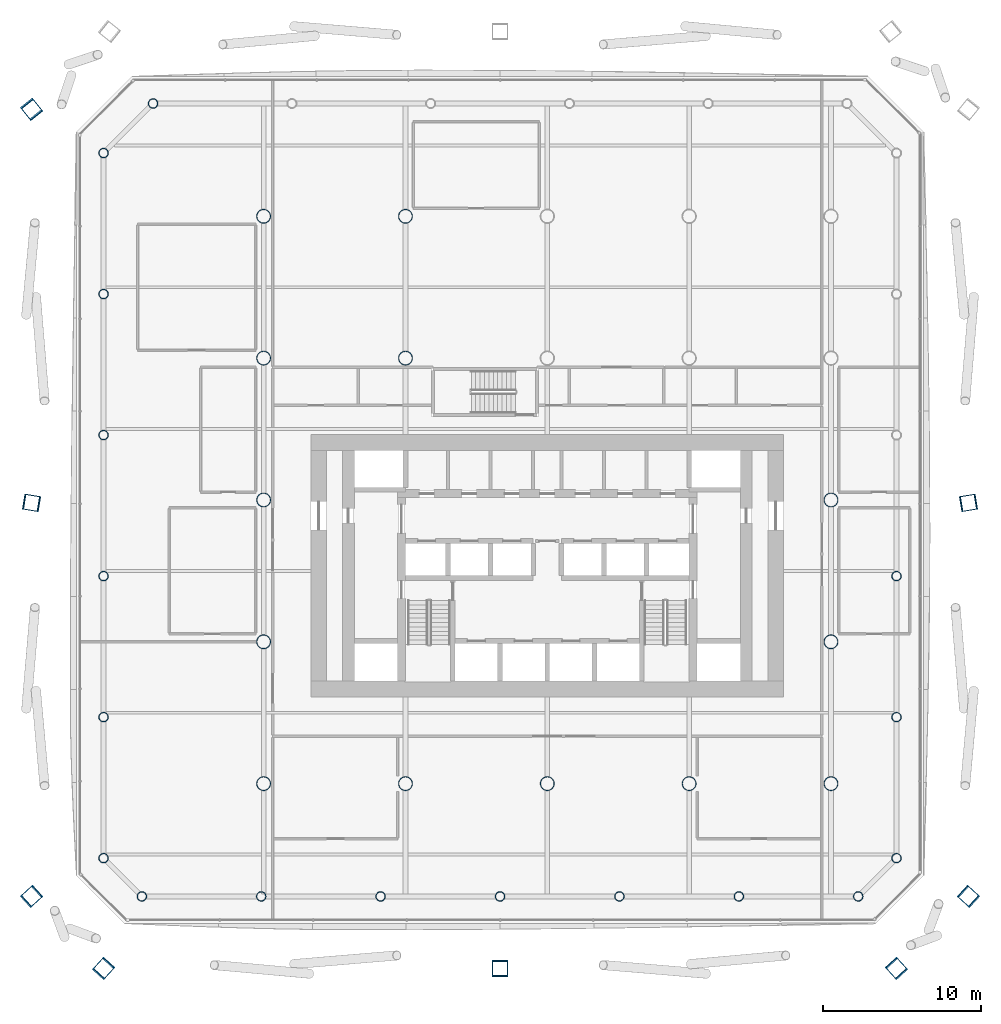
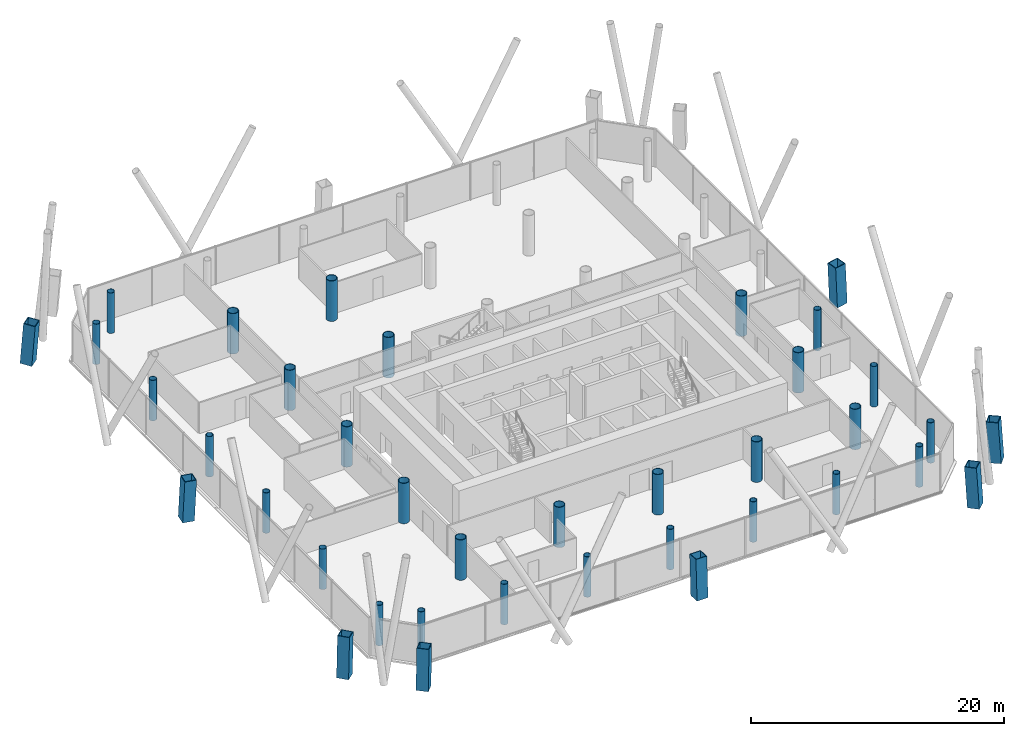
# One storey, part 1 of 25: 38 columns.
"""IFC4 building model written with IfcOpenShell, lengths in metres."""

from ifc_helpers import new_model, si_unit, direction, frame, origin, origin_2d, place, context, subcontext, project, spatial, hollow_rectangle, hollow_circle, extrude, material, material_profile, profile_set, type_object, element, save


model = new_model("IFC4")

# Units and contexts
model_context = context("Model", 3, precision=1e-05, world=origin(), true_north=direction((0.0, 1.0)))
body_context = subcontext(model_context, "Body", "Model", "MODEL_VIEW")
ifc_project = project(units=[si_unit("LENGTHUNIT", "METRE"), si_unit("AREAUNIT", "SQUARE_METRE"), si_unit("VOLUMEUNIT", "CUBIC_METRE"), si_unit("PLANEANGLEUNIT", "RADIAN"), si_unit("MASSUNIT", "GRAM", prefix="KILO")], contexts=[model_context])

# Site, building, storey
site_placement = place(None, origin())
site = spatial("IfcSite", under=ifc_project, at=site_placement, CompositionType="ELEMENT")
building_placement = place(site_placement, origin())
building = spatial("IfcBuilding", under=site, at=building_placement, Name="Tskaro Facet Tower", CompositionType="ELEMENT")
storey_placement = place(building_placement, frame((0.0, 0.0, 34.199951171875)))
storey = spatial("IfcBuildingStorey", under=building, at=storey_placement, Name="L07", CompositionType="ELEMENT", Elevation=34.199951171875)

# Columns
ifc_material_1 = material(Name="Steel S460M", Category="steel")
ifc_material_profile_1 = material_profile(ifc_material_1, hollow_rectangle(XDim=1.0, YDim=1.0, WallThickness=0.06005859375, at=origin_2d()), Name="BOX 1000x1000x60")
ifc_profile_set_1 = profile_set([ifc_material_profile_1], Name="Steel S460M")
column_type_1 = type_object("IfcColumnType", Name="BOX 1000x1000x60 mega column", PredefinedType="COLUMN", material=ifc_profile_set_1)
column_1_placement = place(storey_placement, frame((-28.179931640625, -29.75390625, 0.0), z_axis=(0.042481911701, 0.046542682672, 0.998012557971), x_axis=(-0.73859280104, 0.674151818399, 0.0)))
element("IfcColumn", 1, at=column_1_placement, inside=storey, type_object=column_type_1, Name="BOX 1000x1000x60 MC01/1", PredefinedType="COLUMN", context=body_context, shape_type="SweptSolid", body=[
    extrude(hollow_rectangle(XDim=1.0, YDim=1.0, WallThickness=0.06005859375, at=origin_2d()), origin(), (0.0, 0.0, 1.0), 3.907958984375),
])
column_2_placement = place(storey_placement, frame((-3.0, -29.75390625, 0.0), z_axis=(0.0, 0.046584737692, 0.99891434178), x_axis=(-1.0, 0.0, 0.0)))
element("IfcColumn", 2, at=column_2_placement, inside=storey, type_object=column_type_1, Name="BOX 1000x1000x60 MC02/1", PredefinedType="COLUMN", context=body_context, shape_type="SweptSolid", body=[
    extrude(hollow_rectangle(XDim=1.0, YDim=1.0, WallThickness=0.06005859375, at=origin_2d()), origin(), (0.0, 0.0, 1.0), 3.904296875),
])
for number, where, z_axis, x_axis, name in (
    (3, (22.179931640625, -29.75390625, 0.0), (-0.042481911701, 0.046542682672, 0.998012557971), (-0.73859280104, -0.674151818399, 0.0), "BOX 1000x1000x60 MC03/1"),
    (4, (26.75390625, -25.179931640625, 0.0), (-0.046542682672, 0.042481911701, 0.998012557971), (-0.674151818399, -0.73859280104, 0.0), "BOX 1000x1000x60 MC04/1"),
):
    element("IfcColumn", number, at=place(storey_placement, frame(where, z_axis=z_axis, x_axis=x_axis)), inside=storey, type_object=column_type_1, Name=name, PredefinedType="COLUMN", context=body_context, shape_type="SweptSolid", body=[
        extrude(hollow_rectangle(XDim=1.0, YDim=1.0, WallThickness=0.06005859375, at=origin_2d()), origin(), (0.0, 0.0, 1.0), 3.907958984375),
    ])
column_3_placement = place(storey_placement, frame((26.75390625, -0.178955078125, 0.0), z_axis=(-0.046583359913, -0.007690943986, 0.998884798142), x_axis=(0.162895476227, -0.986643331617, 0.0)))
element("IfcColumn", 5, at=column_3_placement, inside=storey, type_object=column_type_1, Name="BOX 1000x1000x60 MC05/1", PredefinedType="COLUMN", context=body_context, shape_type="SweptSolid", body=[
    extrude(hollow_rectangle(XDim=1.0, YDim=1.0, WallThickness=0.06005859375, at=origin_2d()), origin(), (0.0, 0.0, 1.0), 3.904541015625),
])
column_4_placement = place(storey_placement, frame((-32.75390625, 24.822021484375, 0.0), z_axis=(0.046506840819, -0.057805818253, 0.997244002806), x_axis=(0.779141980058, 0.626847489356, 0.0)))
element("IfcColumn", 6, at=column_4_placement, inside=storey, type_object=column_type_1, Name="BOX 1000x1000x60 MC10/1", PredefinedType="COLUMN", context=body_context, shape_type="SweptSolid", body=[
    extrude(hollow_rectangle(XDim=1.0, YDim=1.0, WallThickness=0.06005859375, at=origin_2d()), origin(), (0.0, 0.0, 1.0), 3.910888671875),
])
column_5_placement = place(storey_placement, frame((-32.75390625, -0.178955078125, 0.0), z_axis=(0.046583359913, -0.007690943986, 0.998884798142), x_axis=(0.162895476227, 0.986643331617, 0.0)))
element("IfcColumn", 7, at=column_5_placement, inside=storey, type_object=column_type_1, Name="BOX 1000x1000x60 MC11/1", PredefinedType="COLUMN", context=body_context, shape_type="SweptSolid", body=[
    extrude(hollow_rectangle(XDim=1.0, YDim=1.0, WallThickness=0.06005859375, at=origin_2d()), origin(), (0.0, 0.0, 1.0), 3.904541015625),
])
column_6_placement = place(storey_placement, frame((-32.75390625, -25.179931640625, 0.0), z_axis=(0.046542682672, 0.042481911701, 0.998012557971), x_axis=(-0.674151818399, 0.73859280104, 0.0)))
element("IfcColumn", 8, at=column_6_placement, inside=storey, type_object=column_type_1, Name="BOX 1000x1000x60 MC12/1", PredefinedType="COLUMN", context=body_context, shape_type="SweptSolid", body=[
    extrude(hollow_rectangle(XDim=1.0, YDim=1.0, WallThickness=0.06005859375, at=origin_2d()), origin(), (0.0, 0.0, 1.0), 3.907958984375),
])
ifc_material_2 = material(Name="Steel S355J2H", Category="steel")
ifc_material_profile_2 = material_profile(ifc_material_2, hollow_circle(Radius=0.304931640625, WallThickness=0.030029296875, at=origin_2d()), Name="CHS 610x30")
ifc_profile_set_2 = profile_set([ifc_material_profile_2], Name="Steel S355J2H")
column_type_2 = type_object("IfcColumnType", Name="CHS 610x30 ring column", PredefinedType="COLUMN", material=ifc_profile_set_2)
for number, where, z_axis, x_axis, name in (
    (9, (-25.72900390625, -25.156982421875, 0.0), (0.0, 0.0, 1.0), (1.0, 0.0, 0.0), "CHS 610x30 RS-1/1"),
    (10, (-18.153076171875, -25.156982421875, 0.0), (0.0, 0.0, 1.0), (1.0, 0.0, 0.0), "CHS 610x30 RS-2/1"),
    (11, (-10.575927734375, -25.156982421875, 0.0), (0.0, 0.0, 1.0), (1.0, 0.0, 0.0), "CHS 610x30 RS-3/1"),
    (12, (-3.0, -25.156982421875, 0.0), (0.0, 0.0, 1.0), (1.0, 0.0, 0.0), "CHS 610x30 RS-4/1"),
    (13, (4.575927734375, -25.156982421875, 0.0), (0.0, 0.0, 1.0), (1.0, 0.0, 0.0), "CHS 610x30 RS-5/1"),
    (14, (12.153076171875, -25.156982421875, 0.0), (0.0, 0.0, 1.0), (1.0, 0.0, 0.0), "CHS 610x30 RS-6/1"),
    (15, (19.72900390625, -25.156982421875, 0.0), (0.0, 0.0, 1.0), (1.0, 0.0, 0.0), "CHS 610x30 RSE-1/1"),
    (16, (22.156982421875, -22.72900390625, 0.0), (0.0, 0.0, 1.0), (1.0, 0.0, 0.0), "CHS 610x30 RE-1/1"),
    (17, (22.156982421875, -13.781005859375, 0.0), (0.0, 0.0, 1.0), (1.0, 0.0, 0.0), "CHS 610x30 RE-2/1"),
    (18, (22.156982421875, -4.8330078125, 0.0), (0.0, 0.0, 1.0), (1.0, 0.0, 0.0), "CHS 610x30 RE-3/1"),
    (19, (-25.011962890625, 25.156982421875, 0.0), (0.0, 0.0, 1.0), (1.0, 0.0, 0.0), "CHS 610x30 RNW-1/1"),
    (20, (-28.156982421875, 22.011962890625, 0.0), (0.0, 0.0, 1.0), (1.0, 0.0, 0.0), "CHS 610x30 RW-1/1"),
    (21, (-28.156982421875, 13.06396484375, 0.0), (0.0, 0.0, 1.0), (1.0, 0.0, 0.0), "CHS 610x30 RW-2/1"),
    (22, (-28.156982421875, 4.115966796875, 0.0), (0.0, 0.0, 1.0), (1.0, 0.0, 0.0), "CHS 610x30 RW-3/1"),
    (23, (-28.156982421875, -4.8330078125, 0.0), (0.0, 0.0, 1.0), (1.0, 0.0, 0.0), "CHS 610x30 RW-4/1"),
    (24, (-28.156982421875, -13.781005859375, 0.0), (0.0, 0.0, 1.0), (1.0, 0.0, 0.0), "CHS 610x30 RW-5/1"),
    (25, (-28.156982421875, -22.72900390625, 0.0), (0.0, 0.0, 1.0), (1.0, 0.0, 0.0), "CHS 610x30 RSW-1/1"),
):
    element("IfcColumn", number, at=place(storey_placement, frame(where, z_axis=z_axis, x_axis=x_axis)), inside=storey, type_object=column_type_2, Name=name, PredefinedType="COLUMN", context=body_context, shape_type="SweptSolid", body=[
        extrude(hollow_circle(Radius=0.304931640625, WallThickness=0.030029296875, at=origin_2d()), origin(), (0.0, 0.0, 1.0), 3.900146484375),
    ])
ifc_material_profile_3 = material_profile(ifc_material_2, hollow_circle(Radius=0.457275390625, WallThickness=0.050048828125, at=origin_2d()), Name="CHS 914.4x50")
ifc_profile_set_3 = profile_set([ifc_material_profile_3], Name="Steel S355J2H")
column_type_3 = type_object("IfcColumnType", Name="CHS 914.4x50 interior column", PredefinedType="COLUMN", material=ifc_profile_set_3)
for number, where, z_axis, x_axis, name in (
    (26, (-18.0, -18.0, 0.0), (0.0, 0.0, 1.0), (1.0, 0.0, 0.0), "CHS 914.4x50 C2B/1"),
    (27, (-18.0, -9.0, 0.0), (0.0, 0.0, 1.0), (1.0, 0.0, 0.0), "CHS 914.4x50 C2C/1"),
    (28, (-18.0, 0.0, 0.0), (0.0, 0.0, 1.0), (1.0, 0.0, 0.0), "CHS 914.4x50 C2D/1"),
    (29, (-18.0, 9.0, 0.0), (0.0, 0.0, 1.0), (1.0, 0.0, 0.0), "CHS 914.4x50 C2E/1"),
    (30, (-18.0, 18.0, 0.0), (0.0, 0.0, 1.0), (1.0, 0.0, 0.0), "CHS 914.4x50 C2F/1"),
    (31, (-9.0, -18.0, 0.0), (0.0, 0.0, 1.0), (1.0, 0.0, 0.0), "CHS 914.4x50 C3B/1"),
    (32, (-9.0, 9.0, 0.0), (0.0, 0.0, 1.0), (1.0, 0.0, 0.0), "CHS 914.4x50 C3E/1"),
    (33, (-9.0, 18.0, 0.0), (0.0, 0.0, 1.0), (1.0, 0.0, 0.0), "CHS 914.4x50 C3F/1"),
    (34, (0.0, -18.0, 0.0), (0.0, 0.0, 1.0), (1.0, 0.0, 0.0), "CHS 914.4x50 C4B/1"),
    (35, (9.0, -18.0, 0.0), (0.0, 0.0, 1.0), (1.0, 0.0, 0.0), "CHS 914.4x50 C5B/1"),
    (36, (18.0, -18.0, 0.0), (0.0, 0.0, 1.0), (1.0, 0.0, 0.0), "CHS 914.4x50 C6B/1"),
    (37, (18.0, -9.0, 0.0), (0.0, 0.0, 1.0), (1.0, 0.0, 0.0), "CHS 914.4x50 C6C/1"),
    (38, (18.0, 0.0, 0.0), (0.0, 0.0, 1.0), (1.0, 0.0, 0.0), "CHS 914.4x50 C6D/1"),
):
    element("IfcColumn", number, at=place(storey_placement, frame(where, z_axis=z_axis, x_axis=x_axis)), inside=storey, type_object=column_type_3, Name=name, PredefinedType="COLUMN", context=body_context, shape_type="SweptSolid", body=[
        extrude(hollow_circle(Radius=0.457275390625, WallThickness=0.050048828125, at=origin_2d()), origin(), (0.0, 0.0, 1.0), 3.900146484375),
    ])

save(model, "model.ifc")
